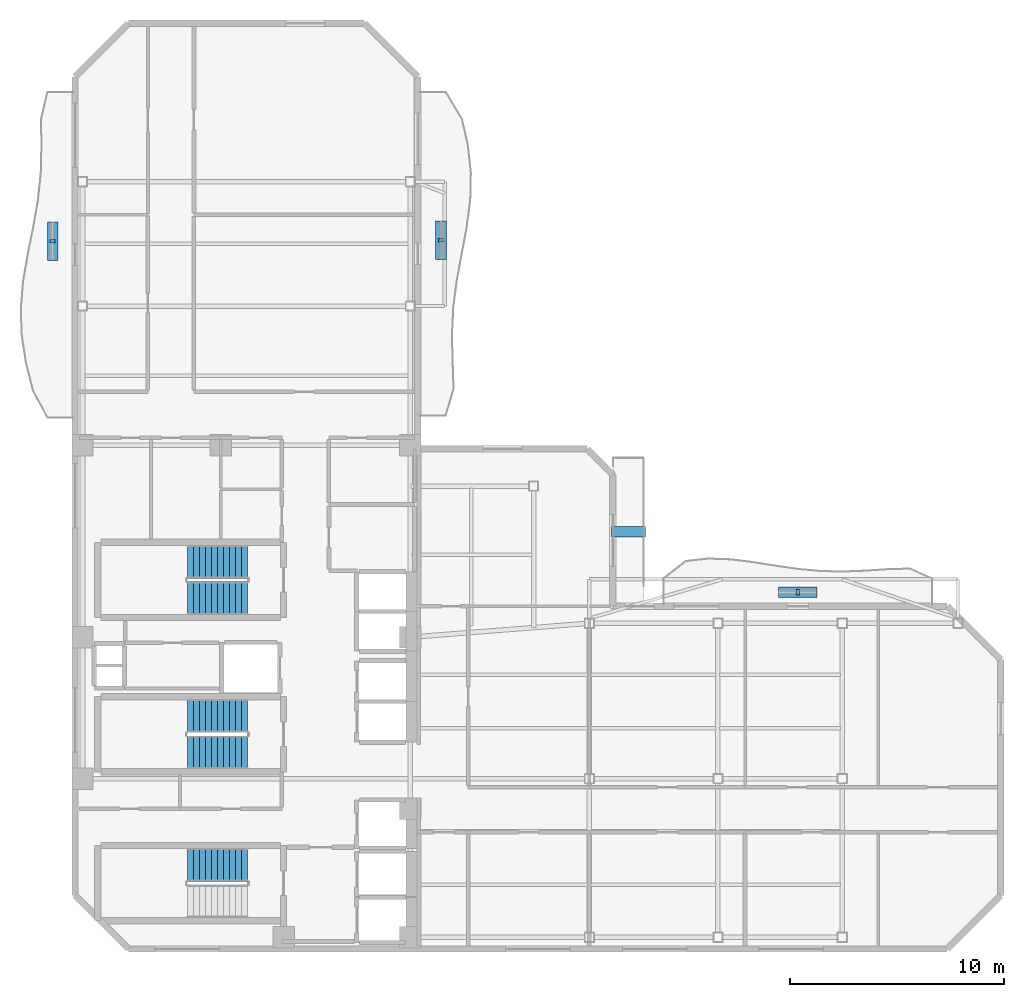
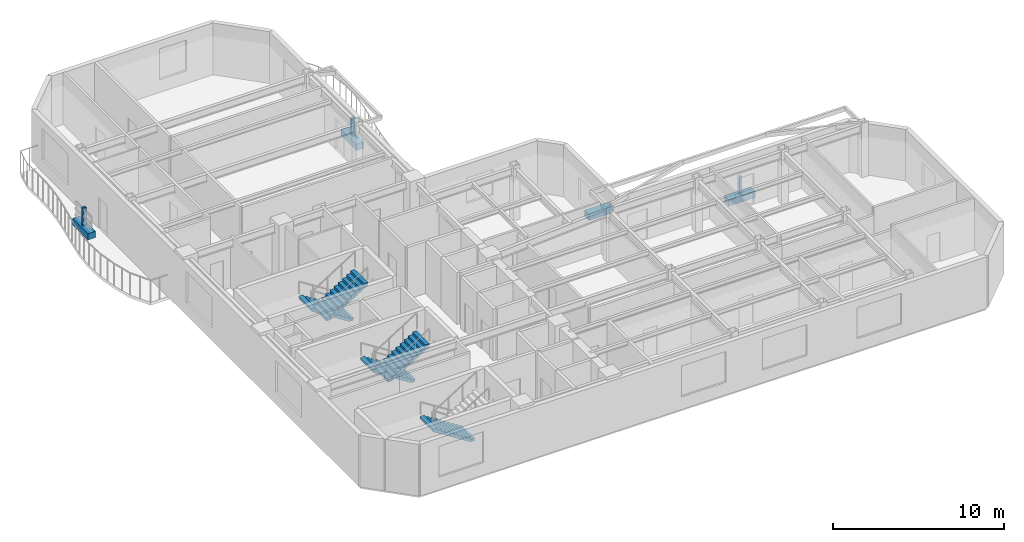
# One storey, part 6 of 9: 7 discrete accessories, 5 stair flights, 3 elements without a shape of their own.
"""IFC4 building model written with IfcOpenShell, lengths in metres."""

from ifc_helpers import new_model, si_unit, direction, frame, origin, origin_2d, place, context, subcontext, project, spatial, polyline, rectangle, outline, extrude, material, type_object, element, aggregate, save


model = new_model("IFC4")

# Units and contexts
model_context = context("Model", 3, precision=1e-05, world=origin(), true_north=direction((0.0, 1.0)))
body_context = subcontext(model_context, "Body", "Model", "MODEL_VIEW")
ifc_project = project(units=[si_unit("LENGTHUNIT", "METRE"), si_unit("AREAUNIT", "SQUARE_METRE"), si_unit("VOLUMEUNIT", "CUBIC_METRE"), si_unit("PLANEANGLEUNIT", "RADIAN"), si_unit("MASSUNIT", "GRAM", prefix="KILO")], contexts=[model_context])

# Site, building, storey
site_placement = place(None, origin())
site = spatial("IfcSite", under=ifc_project, at=site_placement, CompositionType="ELEMENT")
building_placement = place(site_placement, origin())
building = spatial("IfcBuilding", under=site, at=building_placement, Name="Mawjaban Terraces University", CompositionType="ELEMENT")
storey_placement = place(building_placement, frame((0.0, 0.0, 195.300048828125)))
storey = spatial("IfcBuildingStorey", under=building, at=storey_placement, Name="L47", CompositionType="ELEMENT", Elevation=195.300048828125)

# Stair, stair flight
ifc_material_1 = material(Name="Concrete C40/50", Category="concrete")
stair_type = type_object("IfcStairType", Name="Stair_Core1550_H39", PredefinedType="HALF_TURN_STAIR", material=ifc_material_1)
stair_1_placement = place(storey_placement, origin())
stair_1 = element("IfcStair", 1, at=stair_1_placement, inside=storey, type_object=stair_type, Name="L47 Core Exit Stair 1", PredefinedType="HALF_TURN_STAIR")
stair_flight_type = type_object("IfcStairFlightType", Name="Flight_Core1550_H39", PredefinedType="STRAIGHT", material=ifc_material_1)
stair_flight_1_placement = place(storey_placement, frame((30.050048828125, 3.925048828125, 0.0), z_axis=(0.0, 0.0, 1.0), x_axis=(-1.0, 0.0, 0.0)))
stair_flight_1 = element("IfcStairFlight", 2, at=stair_flight_1_placement, type_object=stair_flight_type, Name="ST-1 flight 1", NumberOfRisers=11, NumberOfTreads=10, PredefinedType="STRAIGHT", RiserHeight=0.177272727, TreadLength=0.28, context=body_context, shape_type="SweptSolid", body=[
    extrude(outline(polyline([(0.0, 0.0), (0.0, 0.17724609375), (0.280029296875, 0.17724609375), (0.280029296875, 0.3544921875), (0.56005859375, 0.3544921875), (0.56005859375, 0.53173828125), (0.840087890625, 0.53173828125), (0.840087890625, 0.708984375), (1.1201171875, 0.708984375), (1.1201171875, 0.886474609375), (1.39990234375, 0.886474609375), (1.39990234375, 1.063720703125), (1.679931640625, 1.063720703125), (1.679931640625, 1.240966796875), (1.9599609375, 1.240966796875), (1.9599609375, 1.418212890625), (2.239990234375, 1.418212890625), (2.239990234375, 1.595458984375), (2.52001953125, 1.595458984375), (2.52001953125, 1.772705078125), (2.800048828125, 1.772705078125), (2.800048828125, 1.949951171875), (2.800048828125, 1.59521484375), (0.2802734375, 0.0), (0.0, 0.0)])), frame((0.0, 0.77490234375, 0.0), z_axis=(0.0, -1.0, 0.0), x_axis=(1.0, 0.0, 0.0)), (0.0, 0.0, 1.0), 1.550048828125),
])
aggregate(stair_1, [stair_flight_1])

# Stair, stair flights
stair_2_placement = place(storey_placement, origin())
stair_2 = element("IfcStair", 3, at=stair_2_placement, inside=storey, type_object=stair_type, Name="L47 Core Exit Stair 2", PredefinedType="HALF_TURN_STAIR")
stair_flight_2_placement = place(storey_placement, frame((30.050048828125, 18.074951171875, 0.0), z_axis=(0.0, 0.0, 1.0), x_axis=(-1.0, 0.0, 0.0)))
stair_flight_2 = element("IfcStairFlight", 4, at=stair_flight_2_placement, type_object=stair_flight_type, Name="ST-2 flight 1", NumberOfRisers=11, NumberOfTreads=10, PredefinedType="STRAIGHT", RiserHeight=0.177272727, TreadLength=0.28, context=body_context, shape_type="SweptSolid", body=[
    extrude(outline(polyline([(0.0, 0.0), (0.0, 0.17724609375), (0.280029296875, 0.17724609375), (0.280029296875, 0.3544921875), (0.56005859375, 0.3544921875), (0.56005859375, 0.53173828125), (0.840087890625, 0.53173828125), (0.840087890625, 0.708984375), (1.1201171875, 0.708984375), (1.1201171875, 0.886474609375), (1.39990234375, 0.886474609375), (1.39990234375, 1.063720703125), (1.679931640625, 1.063720703125), (1.679931640625, 1.240966796875), (1.9599609375, 1.240966796875), (1.9599609375, 1.418212890625), (2.239990234375, 1.418212890625), (2.239990234375, 1.595458984375), (2.52001953125, 1.595458984375), (2.52001953125, 1.772705078125), (2.800048828125, 1.772705078125), (2.800048828125, 1.949951171875), (2.800048828125, 1.59521484375), (0.2802734375, 0.0), (0.0, 0.0)])), frame((0.0, 0.77490234375, 0.0), z_axis=(0.0, -1.0, 0.0), x_axis=(1.0, 0.0, 0.0)), (0.0, 0.0, 1.0), 1.550048828125),
])
stair_flight_3_placement = place(storey_placement, frame((27.25, 16.375, 1.949951171875), z_axis=(0.0, 0.0, 1.0), x_axis=(1.0, 0.0, 0.0)))
stair_flight_3 = element("IfcStairFlight", 5, at=stair_flight_3_placement, type_object=stair_flight_type, Name="ST-2 flight 2", NumberOfRisers=11, NumberOfTreads=10, PredefinedType="STRAIGHT", RiserHeight=0.177272727, TreadLength=0.28, context=body_context, shape_type="SweptSolid", body=[
    extrude(outline(polyline([(0.0, 0.0), (0.0, 0.17724609375), (0.280029296875, 0.17724609375), (0.280029296875, 0.3544921875), (0.56005859375, 0.3544921875), (0.56005859375, 0.53173828125), (0.840087890625, 0.53173828125), (0.840087890625, 0.708984375), (1.1201171875, 0.708984375), (1.1201171875, 0.886474609375), (1.39990234375, 0.886474609375), (1.39990234375, 1.063720703125), (1.679931640625, 1.063720703125), (1.679931640625, 1.240966796875), (1.9599609375, 1.240966796875), (1.9599609375, 1.418212890625), (2.239990234375, 1.418212890625), (2.239990234375, 1.595458984375), (2.52001953125, 1.595458984375), (2.52001953125, 1.772705078125), (2.800048828125, 1.772705078125), (2.800048828125, 1.949951171875), (2.800048828125, 1.59521484375), (0.2802734375, 0.0), (0.0, 0.0)])), frame((0.0, 0.77490234375, 0.0), z_axis=(0.0, -1.0, 0.0), x_axis=(1.0, 0.0, 0.0)), (0.0, 0.0, 1.0), 1.550048828125),
])
aggregate(stair_2, [stair_flight_2, stair_flight_3])

stair_3_placement = place(storey_placement, origin())
stair_3 = element("IfcStair", 6, at=stair_3_placement, inside=storey, type_object=stair_type, Name="L47 Core Exit Stair 3", PredefinedType="HALF_TURN_STAIR")
stair_flight_4_placement = place(storey_placement, frame((30.050048828125, 10.875, 0.0), z_axis=(0.0, 0.0, 1.0), x_axis=(-1.0, 0.0, 0.0)))
stair_flight_4 = element("IfcStairFlight", 7, at=stair_flight_4_placement, type_object=stair_flight_type, Name="ST-3 flight 1", NumberOfRisers=11, NumberOfTreads=10, PredefinedType="STRAIGHT", RiserHeight=0.177272727, TreadLength=0.28, context=body_context, shape_type="SweptSolid", body=[
    extrude(outline(polyline([(0.0, 0.0), (0.0, 0.17724609375), (0.280029296875, 0.17724609375), (0.280029296875, 0.3544921875), (0.56005859375, 0.3544921875), (0.56005859375, 0.53173828125), (0.840087890625, 0.53173828125), (0.840087890625, 0.708984375), (1.1201171875, 0.708984375), (1.1201171875, 0.886474609375), (1.39990234375, 0.886474609375), (1.39990234375, 1.063720703125), (1.679931640625, 1.063720703125), (1.679931640625, 1.240966796875), (1.9599609375, 1.240966796875), (1.9599609375, 1.418212890625), (2.239990234375, 1.418212890625), (2.239990234375, 1.595458984375), (2.52001953125, 1.595458984375), (2.52001953125, 1.772705078125), (2.800048828125, 1.772705078125), (2.800048828125, 1.949951171875), (2.800048828125, 1.59521484375), (0.2802734375, 0.0), (0.0, 0.0)])), frame((0.0, 0.77490234375, 0.0), z_axis=(0.0, -1.0, 0.0), x_axis=(1.0, 0.0, 0.0)), (0.0, 0.0, 1.0), 1.550048828125),
])
stair_flight_5_placement = place(storey_placement, frame((27.25, 9.175048828125, 1.949951171875), z_axis=(0.0, 0.0, 1.0), x_axis=(1.0, 0.0, 0.0)))
stair_flight_5 = element("IfcStairFlight", 8, at=stair_flight_5_placement, type_object=stair_flight_type, Name="ST-3 flight 2", NumberOfRisers=11, NumberOfTreads=10, PredefinedType="STRAIGHT", RiserHeight=0.177272727, TreadLength=0.28, context=body_context, shape_type="SweptSolid", body=[
    extrude(outline(polyline([(0.0, 0.0), (0.0, 0.17724609375), (0.280029296875, 0.17724609375), (0.280029296875, 0.3544921875), (0.56005859375, 0.3544921875), (0.56005859375, 0.53173828125), (0.840087890625, 0.53173828125), (0.840087890625, 0.708984375), (1.1201171875, 0.708984375), (1.1201171875, 0.886474609375), (1.39990234375, 0.886474609375), (1.39990234375, 1.063720703125), (1.679931640625, 1.063720703125), (1.679931640625, 1.240966796875), (1.9599609375, 1.240966796875), (1.9599609375, 1.418212890625), (2.239990234375, 1.418212890625), (2.239990234375, 1.595458984375), (2.52001953125, 1.595458984375), (2.52001953125, 1.772705078125), (2.800048828125, 1.772705078125), (2.800048828125, 1.949951171875), (2.800048828125, 1.59521484375), (0.2802734375, 0.0), (0.0, 0.0)])), frame((0.0, 0.77490234375, 0.0), z_axis=(0.0, -1.0, 0.0), x_axis=(1.0, 0.0, 0.0)), (0.0, 0.0, 1.0), 1.550048828125),
])
aggregate(stair_3, [stair_flight_4, stair_flight_5])

# Discrete accessories
ifc_material_2 = material(Name="Stainless steel 316L", Category="steel")
discrete_accessory_type_1 = type_object("IfcDiscreteAccessoryType", Name="FacadeScreenBracket_Steel", PredefinedType="BRACKET", material=ifc_material_2)
for number, where, z_axis, x_axis, name in (
    (9, (20.9580078125, 33.033935546875, 0.419921875), (0.0, 0.0, 1.0), (0.0, 1.0, 0.0), "L47 Balcony Screen Support Bracket west"),
    (10, (55.72509765625, 16.64501953125, 0.419921875), (0.0, 0.0, 1.0), (1.0, 0.0, 0.0), "L47 Balcony Screen Support Bracket inner_north"),
    (11, (39.08203125, 33.073974609375, 0.419921875), (0.0, 0.0, 1.0), (0.0, 1.0, 0.0), "L47 Balcony Screen Support Bracket inner_east"),
):
    element("IfcDiscreteAccessory", number, at=place(storey_placement, frame(where, z_axis=z_axis, x_axis=x_axis)), inside=storey, type_object=discrete_accessory_type_1, Name=name, PredefinedType="BRACKET", context=body_context, shape_type="SweptSolid", body=[
        extrude(rectangle(XDim=0.159912109375, YDim=0.239990234375, at=origin_2d()), origin(), (0.0, 0.0, 1.0), 1.300048828125),
    ])
ifc_material_3 = material(Name="Precast architectural terracotta planter with engineered planting soil", Category="masonry")
discrete_accessory_type_2 = type_object("IfcDiscreteAccessoryType", Name="IrrigatedPlanterTrough_450", PredefinedType="USERDEFINED", material=ifc_material_3)
for number, where, z_axis, x_axis, name in (
    (12, (20.9580078125, 33.033935546875, -0.0048828125), (0.0, 0.0, 1.0), (0.0, 1.0, 0.0), "L47 Balcony Irrigated Planter west"),
    (13, (55.72509765625, 16.64501953125, -0.0048828125), (0.0, 0.0, 1.0), (1.0, 0.0, 0.0), "L47 Balcony Irrigated Planter inner_north"),
    (14, (39.08203125, 33.073974609375, -0.0048828125), (0.0, 0.0, 1.0), (0.0, 1.0, 0.0), "L47 Balcony Irrigated Planter inner_east"),
):
    element("IfcDiscreteAccessory", number, at=place(storey_placement, frame(where, z_axis=z_axis, x_axis=x_axis)), inside=storey, type_object=discrete_accessory_type_2, Name=name, ObjectType="PLANTER", PredefinedType="USERDEFINED", context=body_context, shape_type="SweptSolid", body=[
        extrude(rectangle(XDim=1.800048828125, YDim=0.5, at=origin_2d()), origin(), (0.0, 0.0, 1.0), 0.449951171875),
    ])
discrete_accessory_placement = place(storey_placement, frame((47.824951171875, 19.468017578125, -0.0048828125), z_axis=(0.0, 0.0, 1.0), x_axis=(1.0, 0.0, 0.0)))
element("IfcDiscreteAccessory", 15, at=discrete_accessory_placement, inside=storey, type_object=discrete_accessory_type_2, Name="L47 Terrace Planter TER-L47-CLIMB", ObjectType="PLANTER", PredefinedType="USERDEFINED", context=body_context, shape_type="SweptSolid", body=[
    extrude(rectangle(XDim=1.60009765625, YDim=0.5, at=origin_2d()), origin(), (0.0, 0.0, 1.0), 0.449951171875),
])

save(model, "model.ifc")
